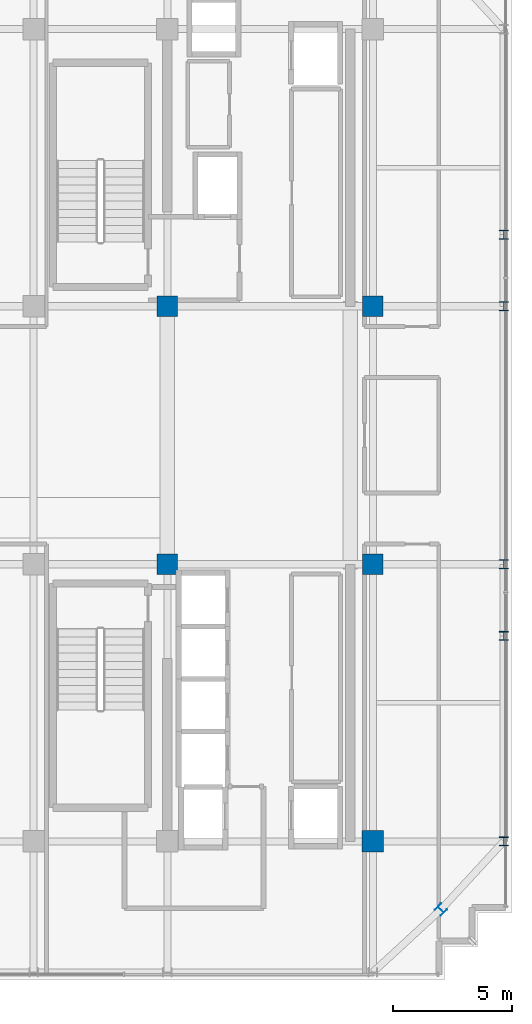
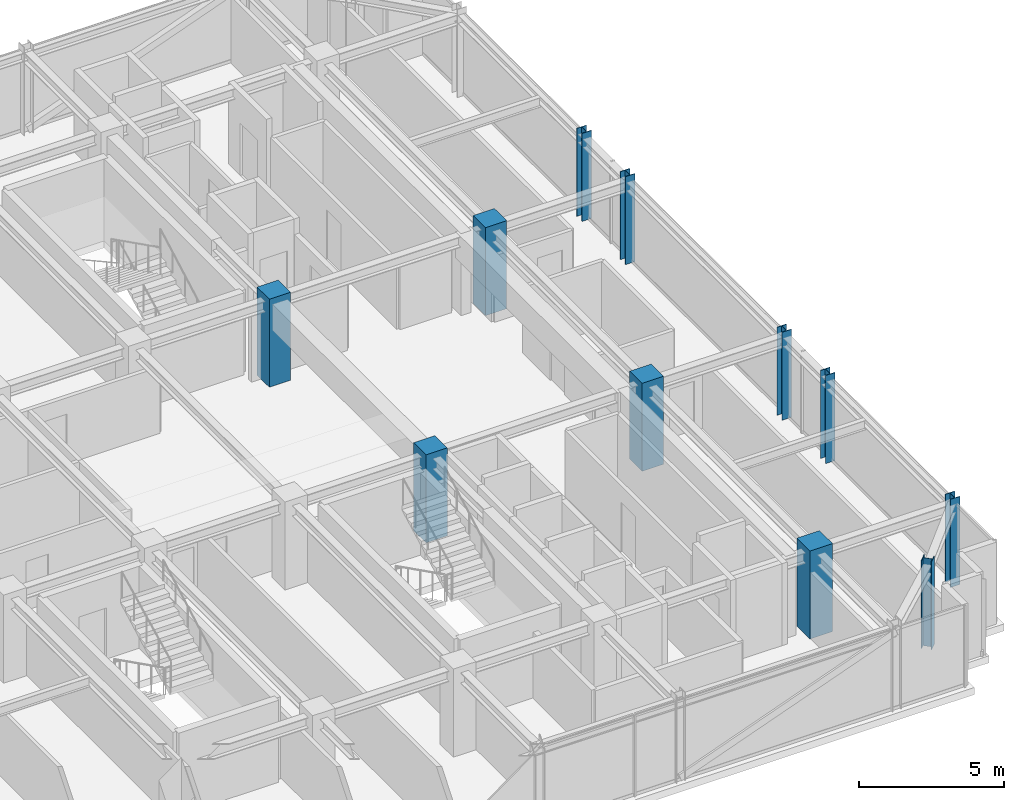
# One storey, part 2 of 36: 11 columns.
"""IFC4 building model written with IfcOpenShell, lengths in metres."""

from ifc_helpers import new_model, si_unit, direction, frame, origin, origin_2d, place, context, subcontext, project, spatial, rectangle, i_section, extrude, source, transform, mapped, material, material_profile, profile_set, type_object, element, save


model = new_model("IFC4")

# Units and contexts
model_context = context("Model", 3, precision=1e-05, world=origin(), true_north=direction((0.0, 1.0)))
body_context = subcontext(model_context, "Body", "Model", "MODEL_VIEW")
ifc_project = project(units=[si_unit("LENGTHUNIT", "METRE"), si_unit("AREAUNIT", "SQUARE_METRE"), si_unit("VOLUMEUNIT", "CUBIC_METRE"), si_unit("PLANEANGLEUNIT", "RADIAN"), si_unit("MASSUNIT", "GRAM", prefix="KILO")], contexts=[model_context])

# Site, building, storey
site_placement = place(None, origin())
site = spatial("IfcSite", under=ifc_project, at=site_placement, CompositionType="ELEMENT")
building_placement = place(site_placement, origin())
building = spatial("IfcBuilding", under=site, at=building_placement, Name="Nahalor Promenade Grand Hotel", CompositionType="ELEMENT")
storey_placement = place(building_placement, frame((0.0, 0.0, 273.800048828125)))
storey = spatial("IfcBuildingStorey", under=building, at=storey_placement, Name="L70", CompositionType="ELEMENT", Elevation=273.800048828125)

# Columns
ifc_material_1 = material(Name="Concrete B-50 (C40/50)", Category="concrete")
ifc_material_profile_1 = material_profile(ifc_material_1, rectangle(XDim=0.9, YDim=0.9, at=origin_2d()), Name="RC 900x900")
ifc_profile_set_1 = profile_set([ifc_material_profile_1], Name="Concrete B-50 (C40/50)")
column_type_1 = type_object("IfcColumnType", Name="Col-RC-900", PredefinedType="COLUMN", material=ifc_profile_set_1)
shared_shape_1 = source(origin(), body_context, "Body", "SweptSolid", [
    extrude(rectangle(XDim=0.9, YDim=0.9, at=origin_2d()), origin(), (0.0, 0.0, 1.0), 3.704833984375),
])
column_placement = place(storey_placement, frame((17.0, -17.0, 0.0), z_axis=(0.0, 0.0, 1.0), x_axis=(1.0, 0.0, 0.0)))
element("IfcColumn", 1, at=column_placement, inside=storey, type_object=column_type_1, Name="COL-L70-I50", PredefinedType="COLUMN", context=body_context, shape_type="MappedRepresentation", body=[
    mapped(shared_shape_1, transform((0.0, 0.0, 0.0), scale=1.0)),
])
ifc_material_2 = material(Name="Concrete B-70 (C60/75)", Category="concrete")
ifc_material_profile_2 = material_profile(ifc_material_2, rectangle(XDim=0.85, YDim=0.85, at=origin_2d()), Name="RC 850x850")
ifc_profile_set_2 = profile_set([ifc_material_profile_2], Name="Concrete B-70 (C60/75)")
column_type_2 = type_object("IfcColumnType", Name="Col-Pilaster-850", PredefinedType="PILASTER", material=ifc_profile_set_2)
shared_shape_2 = source(origin(), body_context, "Body", "SweptSolid", [
    extrude(rectangle(XDim=0.85, YDim=0.85, at=origin_2d()), origin(), (0.0, 0.0, 1.0), 3.704833984375),
])
for number, where, z_axis, x_axis, name in (
    (2, (8.39990234375, -5.39990234375, 0.0), (0.0, 0.0, 1.0), (1.0, 0.0, 0.0), "COL-L70-I41"),
    (3, (8.39990234375, 5.39990234375, 0.0), (0.0, 0.0, 1.0), (1.0, 0.0, 0.0), "COL-L70-I42"),
    (4, (17.0, -5.39990234375, 0.0), (0.0, 0.0, 1.0), (1.0, 0.0, 0.0), "COL-L70-I51"),
    (5, (17.0, 5.39990234375, 0.0), (0.0, 0.0, 1.0), (1.0, 0.0, 0.0), "COL-L70-I52"),
):
    element("IfcColumn", number, at=place(storey_placement, frame(where, z_axis=z_axis, x_axis=x_axis)), inside=storey, type_object=column_type_2, Name=name, PredefinedType="PILASTER", context=body_context, shape_type="MappedRepresentation", body=[
        mapped(shared_shape_2, transform((0.0, 0.0, 0.0), scale=1.0)),
    ])
ifc_material_3 = material(Name="Steel S355JR", Category="steel")
ifc_material_profile_3 = material_profile(ifc_material_3, i_section(OverallWidth=0.374, OverallDepth=0.374, WebThickness=0.0144, FlangeThickness=0.0229, at=origin_2d()), Name="HD 360x262")
ifc_profile_set_3 = profile_set([ifc_material_profile_3], Name="Steel S355JR")
column_type_3 = type_object("IfcColumnType", Name="Col-Steel-HD262", PredefinedType="COLUMN", material=ifc_profile_set_3)
shared_shape_3 = source(origin(), body_context, "Body", "SweptSolid", [
    extrude(i_section(OverallWidth=0.374, OverallDepth=0.374, WebThickness=0.0144, FlangeThickness=0.0229, at=origin_2d()), origin(), (0.0, 0.0, 1.0), 3.704833984375),
])
for number, where, z_axis, x_axis, name in (
    (6, (22.47998046875, -17.0, 0.0), (0.0, 0.0, 1.0), (1.0, 0.0, 0.0), "COL-L70-PW-E0"),
    (7, (22.47998046875, -8.39990234375, 0.0), (0.0, 0.0, 1.0), (1.0, 0.0, 0.0), "COL-L70-PW-E1"),
    (8, (22.47998046875, -5.39990234375, 0.0), (0.0, 0.0, 1.0), (1.0, 0.0, 0.0), "COL-L70-PW-E2"),
    (9, (22.47998046875, 5.39990234375, 0.0), (0.0, 0.0, 1.0), (1.0, 0.0, 0.0), "COL-L70-PW-E3"),
    (10, (22.47998046875, 8.39990234375, 0.0), (0.0, 0.0, 1.0), (1.0, 0.0, 0.0), "COL-L70-PW-E4"),
    (11, (19.85009765625, -19.85009765625, 0.0), (0.0, 0.0, 1.0), (0.707106781187, 0.707106781187, 0.0), "COL-L70-CRN-SE"),
):
    element("IfcColumn", number, at=place(storey_placement, frame(where, z_axis=z_axis, x_axis=x_axis)), inside=storey, type_object=column_type_3, Name=name, PredefinedType="COLUMN", context=body_context, shape_type="MappedRepresentation", body=[
        mapped(shared_shape_3, transform((0.0, 0.0, 0.0), scale=1.0)),
    ])

save(model, "model.ifc")
